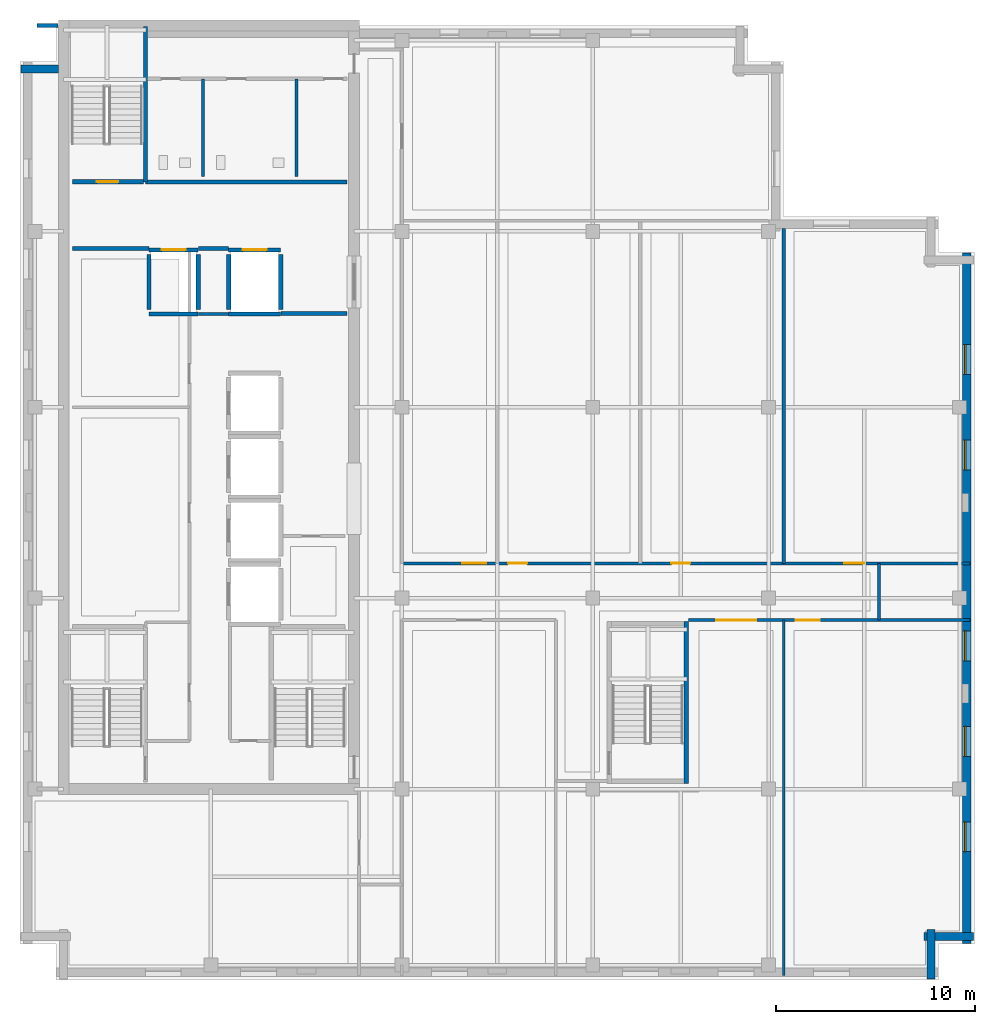
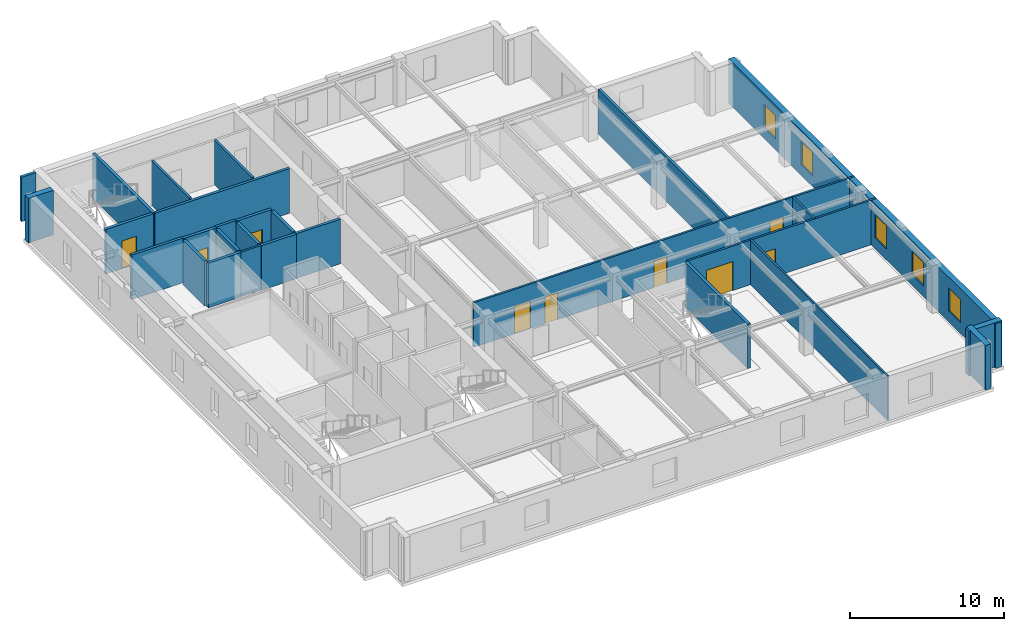
# One storey, part 5 of 11: 28 walls, 9 doors, 5 windows, 14 openings.
"""IFC4 building model written with IfcOpenShell, lengths in metres."""

from ifc_helpers import new_model, si_unit, direction, frame, frame_2d, origin, place, context, subcontext, project, spatial, rectangle, extrude, material, layer, layer_set, type_object, element, fill, save


model = new_model("IFC4")

# Units and contexts
model_context = context("Model", 3, precision=1e-05, world=origin(), true_north=direction((0.0, 1.0)))
body_context = subcontext(model_context, "Body", "Model", "MODEL_VIEW")
ifc_project = project(units=[si_unit("LENGTHUNIT", "METRE"), si_unit("AREAUNIT", "SQUARE_METRE"), si_unit("VOLUMEUNIT", "CUBIC_METRE"), si_unit("PLANEANGLEUNIT", "RADIAN"), si_unit("MASSUNIT", "GRAM", prefix="KILO")], contexts=[model_context])

# Site, building, storey
site_placement = place(None, origin())
site = spatial("IfcSite", under=ifc_project, at=site_placement, CompositionType="ELEMENT")
building_placement = place(site_placement, origin())
building = spatial("IfcBuilding", under=site, at=building_placement, Name="Norrvale University Quadrangle", CompositionType="ELEMENT")
storey_placement = place(building_placement, frame((0.0, 0.0, 288.60009765625)))
storey = spatial("IfcBuildingStorey", under=building, at=storey_placement, Name="L73", CompositionType="ELEMENT", Elevation=288.60009765625)

# Walls
ifc_material_1 = material(Name="Buff Norman Clay Brick Masonry", Category="masonry")
ifc_layer_1 = layer(ifc_material_1, 0.419921875, Name="Buff Norman Clay Brick Masonry")
ifc_layer_set_1 = layer_set([ifc_layer_1], Name="Buff Norman Clay Brick Masonry")
wall_type_1 = type_object("IfcWallType", Name="Wall Buff Brick 420", PredefinedType="SOLIDWALL", material=ifc_layer_set_1)
for number, where, z_axis, x_axis, name in (
    (1, (45.81005859375, 0.0400390625, 0.0), (0.0, 0.0, 1.0), (0.0, 1.0, 0.0), "Exterior Brick Facade Wall L73-02.1"),
    (2, (45.4599609375, 2.18994140625, 0.0), (0.0, 0.0, 1.0), (1.0, 0.0, 0.0), "Exterior Brick Facade Wall L73-03.1"),
):
    element("IfcWall", number, at=place(storey_placement, frame(where, z_axis=z_axis, x_axis=x_axis)), inside=storey, type_object=wall_type_1, Name=name, PredefinedType="SOLIDWALL", context=body_context, shape_type="SweptSolid", body=[
        extrude(rectangle(XDim=2.5, YDim=0.419921875, at=frame_2d((1.25, 0.0))), origin(), (0.0, 0.0, 1.0), 3.539794921875),
    ])

# Wall, openings, windows
wall_1_placement = place(storey_placement, frame((47.610107421875, 1.840087890625, 0.0), z_axis=(0.0, 0.0, 1.0), x_axis=(0.0, 1.0, 0.0)))
wall_1 = element("IfcWall", 3, at=wall_1_placement, inside=storey, type_object=wall_type_1, Name="Exterior Brick Facade Wall L73-04.1", PredefinedType="SOLIDWALL", context=body_context, shape_type="SweptSolid", body=[
    extrude(rectangle(XDim=34.719970703125, YDim=0.419921875, at=frame_2d((17.35986328125, 0.0))), origin(), (0.0, 0.0, 1.0), 3.539794921875),
])
opening_1_placement = place(wall_1_placement, frame((4.610107421875, 0.0, 0.85009765625)))
opening_1 = element("IfcOpeningElement", 4, at=opening_1_placement, cuts=wall_1, Name="Opening W03", PredefinedType="OPENING", context=body_context, shape_type="SweptSolid", body=[
    extrude(rectangle(XDim=1.5, YDim=1.85009765625, at=frame_2d((0.75, 0.925048828125))), frame((0.0, 0.221923828125, 0.0), z_axis=(0.0, -1.0, 0.0), x_axis=(1.0, 0.0, 0.0)), (0.0, 0.0, 1.0), 0.44384765625),
])
opening_2_placement = place(wall_1_placement, frame((9.409912109375, 0.0, 0.85009765625)))
opening_2 = element("IfcOpeningElement", 5, at=opening_2_placement, cuts=wall_1, Name="Opening W03", PredefinedType="OPENING", context=body_context, shape_type="SweptSolid", body=[
    extrude(rectangle(XDim=1.5, YDim=1.85009765625, at=frame_2d((0.75, 0.925048828125))), frame((0.0, 0.221923828125, 0.0), z_axis=(0.0, -1.0, 0.0), x_axis=(1.0, 0.0, 0.0)), (0.0, 0.0, 1.0), 0.44384765625),
])
opening_3_placement = place(wall_1_placement, frame((14.2099609375, 0.0, 0.85009765625)))
opening_3 = element("IfcOpeningElement", 6, at=opening_3_placement, cuts=wall_1, Name="Opening W03", PredefinedType="OPENING", context=body_context, shape_type="SweptSolid", body=[
    extrude(rectangle(XDim=1.5, YDim=1.85009765625, at=frame_2d((0.75, 0.925048828125))), frame((0.0, 0.221923828125, 0.0), z_axis=(0.0, -1.0, 0.0), x_axis=(1.0, 0.0, 0.0)), (0.0, 0.0, 1.0), 0.44384765625),
])
opening_4_placement = place(wall_1_placement, frame((23.81005859375, 0.0, 0.85009765625)))
opening_4 = element("IfcOpeningElement", 7, at=opening_4_placement, cuts=wall_1, Name="Opening W03", PredefinedType="OPENING", context=body_context, shape_type="SweptSolid", body=[
    extrude(rectangle(XDim=1.5, YDim=1.85009765625, at=frame_2d((0.75, 0.925048828125))), frame((0.0, 0.221923828125, 0.0), z_axis=(0.0, -1.0, 0.0), x_axis=(1.0, 0.0, 0.0)), (0.0, 0.0, 1.0), 0.44384765625),
])
opening_5_placement = place(wall_1_placement, frame((28.610107421875, 0.0, 0.85009765625)))
opening_5 = element("IfcOpeningElement", 8, at=opening_5_placement, cuts=wall_1, Name="Opening W03", PredefinedType="OPENING", context=body_context, shape_type="SweptSolid", body=[
    extrude(rectangle(XDim=1.5, YDim=1.85009765625, at=frame_2d((0.75, 0.925048828125))), frame((0.0, 0.221923828125, 0.0), z_axis=(0.0, -1.0, 0.0), x_axis=(1.0, 0.0, 0.0)), (0.0, 0.0, 1.0), 0.44384765625),
])
ifc_material_2 = material(Name="Triple Low-E Argon Glazing", Category="glass")
window_type = type_object("IfcWindowType", Name="Window Studio 1500x2300", PartitioningType="DOUBLE_PANEL_VERTICAL", PredefinedType="WINDOW", material=ifc_material_2)
window_1_placement = place(opening_1_placement, origin())
window_1 = element("IfcWindow", 9, at=window_1_placement, inside=storey, type_object=window_type, Name="Window Studio 1500x2300 WIN-L73-E04-1-01", OverallHeight=1.85009765625, OverallWidth=1.5, PartitioningType="DOUBLE_PANEL_VERTICAL", PredefinedType="WINDOW", context=body_context, shape_type="SweptSolid", body=[
    extrude(rectangle(XDim=1.5, YDim=1.85009765625, at=frame_2d((0.75, 0.925048828125))), frame((0.0, 0.110107421875, 0.0), z_axis=(0.0, -1.0, 0.0), x_axis=(1.0, 0.0, 0.0)), (0.0, 0.0, 1.0), 0.06005859375),
])
fill(opening_1, window_1)
window_2_placement = place(opening_2_placement, origin())
window_2 = element("IfcWindow", 10, at=window_2_placement, inside=storey, type_object=window_type, Name="Window Studio 1500x2300 WIN-L73-E04-1-02", OverallHeight=1.85009765625, OverallWidth=1.5, PartitioningType="DOUBLE_PANEL_VERTICAL", PredefinedType="WINDOW", context=body_context, shape_type="SweptSolid", body=[
    extrude(rectangle(XDim=1.5, YDim=1.85009765625, at=frame_2d((0.75, 0.925048828125))), frame((0.0, 0.110107421875, 0.0), z_axis=(0.0, -1.0, 0.0), x_axis=(1.0, 0.0, 0.0)), (0.0, 0.0, 1.0), 0.06005859375),
])
fill(opening_2, window_2)
window_3_placement = place(opening_3_placement, origin())
window_3 = element("IfcWindow", 11, at=window_3_placement, inside=storey, type_object=window_type, Name="Window Studio 1500x2300 WIN-L73-E04-1-03", OverallHeight=1.85009765625, OverallWidth=1.5, PartitioningType="DOUBLE_PANEL_VERTICAL", PredefinedType="WINDOW", context=body_context, shape_type="SweptSolid", body=[
    extrude(rectangle(XDim=1.5, YDim=1.85009765625, at=frame_2d((0.75, 0.925048828125))), frame((0.0, 0.110107421875, 0.0), z_axis=(0.0, -1.0, 0.0), x_axis=(1.0, 0.0, 0.0)), (0.0, 0.0, 1.0), 0.06005859375),
])
fill(opening_3, window_3)
window_4_placement = place(opening_4_placement, origin())
window_4 = element("IfcWindow", 12, at=window_4_placement, inside=storey, type_object=window_type, Name="Window Studio 1500x2300 WIN-L73-E04-1-04", OverallHeight=1.85009765625, OverallWidth=1.5, PartitioningType="DOUBLE_PANEL_VERTICAL", PredefinedType="WINDOW", context=body_context, shape_type="SweptSolid", body=[
    extrude(rectangle(XDim=1.5, YDim=1.85009765625, at=frame_2d((0.75, 0.925048828125))), frame((0.0, 0.110107421875, 0.0), z_axis=(0.0, -1.0, 0.0), x_axis=(1.0, 0.0, 0.0)), (0.0, 0.0, 1.0), 0.06005859375),
])
fill(opening_4, window_4)
window_5_placement = place(opening_5_placement, origin())
window_5 = element("IfcWindow", 13, at=window_5_placement, inside=storey, type_object=window_type, Name="Window Studio 1500x2300 WIN-L73-E04-1-05", OverallHeight=1.85009765625, OverallWidth=1.5, PartitioningType="DOUBLE_PANEL_VERTICAL", PredefinedType="WINDOW", context=body_context, shape_type="SweptSolid", body=[
    extrude(rectangle(XDim=1.5, YDim=1.85009765625, at=frame_2d((0.75, 0.925048828125))), frame((0.0, 0.110107421875, 0.0), z_axis=(0.0, -1.0, 0.0), x_axis=(1.0, 0.0, 0.0)), (0.0, 0.0, 1.0), 0.06005859375),
])
fill(opening_5, window_5)

# Walls
wall_2_placement = place(storey_placement, frame((1.925048828125, 45.81005859375, 0.0), z_axis=(0.0, 0.0, 1.0), x_axis=(-1.0, 0.0, 0.0)))
element("IfcWall", 14, at=wall_2_placement, inside=storey, type_object=wall_type_1, Name="Exterior Brick Facade Wall L73-13.1", PredefinedType="SOLIDWALL", context=body_context, shape_type="SweptSolid", body=[
    extrude(rectangle(XDim=1.885009765625, YDim=0.419921875, at=frame_2d((0.9423828125, 0.0))), origin(), (0.0, 0.0, 1.0), 3.539794921875),
])
ifc_material_3 = material(Name="Standard Academic Gypsum Partition")
ifc_layer_2 = layer(ifc_material_3, 0.125, Name="Standard Academic Gypsum Partition")
ifc_layer_set_2 = layer_set([ifc_layer_2], Name="Standard Academic Gypsum Partition")
wall_type_2 = type_object("IfcWallType", Name="Wall Gypsum Academic 125", PredefinedType="PARTITIONING", material=ifc_layer_set_2)
wall_3_placement = place(storey_placement, frame((38.39990234375, 0.219970703125, 0.0), z_axis=(0.0, 0.0, 1.0), x_axis=(0.0, 1.0, 0.0)))
element("IfcWall", 15, at=wall_3_placement, inside=storey, type_object=wall_type_2, Name="Interior Partition WL-L73-SEP2", PredefinedType="PARTITIONING", context=body_context, shape_type="SweptSolid", body=[
    extrude(rectangle(XDim=17.880126953125, YDim=0.125, at=frame_2d((8.93994140625, 0.0))), origin(), (0.0, 0.0, 1.0), 3.539794921875),
])
ifc_material_4 = material(Name="Fire-Rated Gypsum Stud Partition")
ifc_layer_3 = layer(ifc_material_4, 0.14990234375, Name="Fire-Rated Gypsum Stud Partition")
ifc_layer_set_3 = layer_set([ifc_layer_3], Name="Fire-Rated Gypsum Stud Partition")
wall_type_3 = type_object("IfcWallType", Name="Wall Gypsum Corridor 150", PredefinedType="PARTITIONING", material=ifc_layer_set_3)
wall_4_placement = place(storey_placement, frame((8.965087890625, 33.489990234375, 0.0), z_axis=(0.0, 0.0, 1.0), x_axis=(1.0, 0.0, 0.0)))
element("IfcWall", 16, at=wall_4_placement, inside=storey, type_object=wall_type_3, Name="Interior Partition WL-L73-LL3", PredefinedType="PARTITIONING", context=body_context, shape_type="SweptSolid", body=[
    extrude(rectangle(XDim=1.52001953125, YDim=0.14990234375, at=frame_2d((0.760009765625, 0.0))), origin(), (0.0, 0.0, 1.0), 3.539794921875),
])
wall_5_placement = place(storey_placement, frame((43.199951171875, 18.10009765625, 0.0), z_axis=(0.0, 0.0, 1.0), x_axis=(0.0, 1.0, 0.0)))
element("IfcWall", 17, at=wall_5_placement, inside=storey, type_object=wall_type_3, Name="Interior Partition WL-L73-CESP-E", PredefinedType="PARTITIONING", context=body_context, shape_type="SweptSolid", body=[
    extrude(rectangle(XDim=2.849853515625, YDim=0.14990234375, at=frame_2d((1.4248046875, 0.0))), origin(), (0.0, 0.0, 1.0), 3.539794921875),
])

# Wall, openings, doors
wall_6_placement = place(storey_placement, frame((33.6201171875, 18.10009765625, 0.0), z_axis=(0.0, 0.0, 1.0), x_axis=(1.0, 0.0, 0.0)))
wall_6 = element("IfcWall", 18, at=wall_6_placement, inside=storey, type_object=wall_type_3, Name="Interior Partition WL-L73-SEW2", PredefinedType="PARTITIONING", context=body_context, shape_type="SweptSolid", body=[
    extrude(rectangle(XDim=14.159912109375, YDim=0.14990234375, at=frame_2d((7.080078125, 0.0))), origin(), (0.0, 0.0, 1.0), 3.539794921875),
])
opening_6_placement = place(wall_6_placement, frame((1.39990234375, 0.0, 0.0)))
opening_6 = element("IfcOpeningElement", 19, at=opening_6_placement, cuts=wall_6, Name="Opening D06", PredefinedType="OPENING", context=body_context, shape_type="SweptSolid", body=[
    extrude(rectangle(XDim=2.0, YDim=2.300048828125, at=frame_2d((1.0, 1.14990234375))), frame((0.0, 0.0869140625, 0.0), z_axis=(0.0, -1.0, 0.0), x_axis=(1.0, 0.0, 0.0)), (0.0, 0.0, 1.0), 0.173828125),
])
opening_7_placement = place(wall_6_placement, frame((5.39990234375, 0.0, 0.0)))
opening_7 = element("IfcOpeningElement", 20, at=opening_7_placement, cuts=wall_6, Name="Opening D05", PredefinedType="OPENING", context=body_context, shape_type="SweptSolid", body=[
    extrude(rectangle(XDim=1.199951171875, YDim=2.199951171875, at=frame_2d((0.60009765625, 1.10009765625))), frame((0.0, 0.0869140625, 0.0), z_axis=(0.0, -1.0, 0.0), x_axis=(1.0, 0.0, 0.0)), (0.0, 0.0, 1.0), 0.173828125),
])
ifc_material_5 = material(Name="Acoustic Oak Classroom Door", Category="wood")
door_type_1 = type_object("IfcDoorType", Name="Door Classroom 1200x2200", OperationType="NOTDEFINED", PredefinedType="DOOR", material=ifc_material_5)
door_1_placement = place(opening_7_placement, origin())
door_1 = element("IfcDoor", 21, at=door_1_placement, inside=storey, type_object=door_type_1, Name="Door Classroom 1200x2200 DR-L73-SE3", OperationType="SINGLE_SWING_LEFT", OverallHeight=2.199951171875, OverallWidth=1.199951171875, PredefinedType="DOOR", context=body_context, shape_type="SweptSolid", body=[
    extrude(rectangle(XDim=1.199951171875, YDim=2.199951171875, at=frame_2d((0.60009765625, 1.10009765625))), frame((0.0, 0.02490234375, 0.0), z_axis=(0.0, -1.0, 0.0), x_axis=(1.0, 0.0, 0.0)), (0.0, 0.0, 1.0), 0.050048828125),
])
fill(opening_7, door_1)
ifc_material_6 = material(Name="Acoustic Oak Double Door", Category="wood")
door_type_2 = type_object("IfcDoorType", Name="Door Lecture Dbl 2000x2300", OperationType="DOUBLE_SWING_LEFT", PredefinedType="DOOR", material=ifc_material_6)
door_2_placement = place(opening_6_placement, origin())
door_2 = element("IfcDoor", 22, at=door_2_placement, inside=storey, type_object=door_type_2, Name="Door Lecture Dbl 2000x2300 DR-L73-SE2", OperationType="DOUBLE_SWING_LEFT", OverallHeight=2.300048828125, OverallWidth=2.0, PredefinedType="DOOR", context=body_context, shape_type="SweptSolid", body=[
    extrude(rectangle(XDim=2.0, YDim=2.300048828125, at=frame_2d((1.0, 1.14990234375))), frame((0.0, 0.02490234375, 0.0), z_axis=(0.0, -1.0, 0.0), x_axis=(1.0, 0.0, 0.0)), (0.0, 0.0, 1.0), 0.050048828125),
])
fill(opening_6, door_2)

wall_7_placement = place(storey_placement, frame((19.199951171875, 20.949951171875, 0.0), z_axis=(0.0, 0.0, 1.0), x_axis=(1.0, 0.0, 0.0)))
wall_7 = element("IfcWall", 23, at=wall_7_placement, inside=storey, type_object=wall_type_3, Name="Interior Partition WL-L73-MECW", PredefinedType="PARTITIONING", context=body_context, shape_type="SweptSolid", body=[
    extrude(rectangle(XDim=28.580078125, YDim=0.14990234375, at=frame_2d((14.2900390625, 0.0))), origin(), (0.0, 0.0, 1.0), 3.539794921875),
])
opening_8_placement = place(wall_7_placement, frame((3.050048828125, 0.0, 0.0)))
opening_8 = element("IfcOpeningElement", 24, at=opening_8_placement, cuts=wall_7, Name="Opening D05", PredefinedType="OPENING", context=body_context, shape_type="SweptSolid", body=[
    extrude(rectangle(XDim=1.199951171875, YDim=2.199951171875, at=frame_2d((0.60009765625, 1.10009765625))), frame((0.0, 0.0869140625, 0.0), z_axis=(0.0, -1.0, 0.0), x_axis=(1.0, 0.0, 0.0)), (0.0, 0.0, 1.0), 0.173828125),
])
opening_9_placement = place(wall_7_placement, frame((5.35009765625, 0.0, 0.0)))
opening_9 = element("IfcOpeningElement", 25, at=opening_9_placement, cuts=wall_7, Name="Opening D07", PredefinedType="OPENING", context=body_context, shape_type="SweptSolid", body=[
    extrude(rectangle(XDim=0.949951171875, YDim=2.14990234375, at=frame_2d((0.47509765625, 1.074951171875))), frame((0.0, 0.0869140625, 0.0), z_axis=(0.0, -1.0, 0.0), x_axis=(1.0, 0.0, 0.0)), (0.0, 0.0, 1.0), 0.173828125),
])
opening_10_placement = place(wall_7_placement, frame((13.550048828125, 0.0, 0.0)))
opening_10 = element("IfcOpeningElement", 26, at=opening_10_placement, cuts=wall_7, Name="Opening D07", PredefinedType="OPENING", context=body_context, shape_type="SweptSolid", body=[
    extrude(rectangle(XDim=0.949951171875, YDim=2.14990234375, at=frame_2d((0.47509765625, 1.074951171875))), frame((0.0, 0.0869140625, 0.0), z_axis=(0.0, -1.0, 0.0), x_axis=(1.0, 0.0, 0.0)), (0.0, 0.0, 1.0), 0.173828125),
])
opening_11_placement = place(wall_7_placement, frame((22.25, 0.0, 0.0)))
opening_11 = element("IfcOpeningElement", 27, at=opening_11_placement, cuts=wall_7, Name="Opening D04", PredefinedType="OPENING", context=body_context, shape_type="SweptSolid", body=[
    extrude(rectangle(XDim=1.0, YDim=2.199951171875, at=frame_2d((0.5, 1.10009765625))), frame((0.0, 0.0869140625, 0.0), z_axis=(0.0, -1.0, 0.0), x_axis=(1.0, 0.0, 0.0)), (0.0, 0.0, 1.0), 0.173828125),
])
door_3_placement = place(opening_8_placement, origin())
door_3 = element("IfcDoor", 28, at=door_3_placement, inside=storey, type_object=door_type_1, Name="Door Classroom 1200x2200 DR-L73-ME01", OperationType="SINGLE_SWING_LEFT", OverallHeight=2.199951171875, OverallWidth=1.199951171875, PredefinedType="DOOR", context=body_context, shape_type="SweptSolid", body=[
    extrude(rectangle(XDim=1.199951171875, YDim=2.199951171875, at=frame_2d((0.60009765625, 1.10009765625))), frame((0.0, 0.02490234375, 0.0), z_axis=(0.0, -1.0, 0.0), x_axis=(1.0, 0.0, 0.0)), (0.0, 0.0, 1.0), 0.050048828125),
])
fill(opening_8, door_3)
ifc_material_7 = material(Name="Solid-Core Oak Fire Door", Category="wood")
door_type_3 = type_object("IfcDoorType", Name="Door Corridor 1000x2200", OperationType="NOTDEFINED", PredefinedType="DOOR", material=ifc_material_7)
door_4_placement = place(opening_11_placement, origin())
door_4 = element("IfcDoor", 29, at=door_4_placement, inside=storey, type_object=door_type_3, Name="Door Corridor 1000x2200 DR-L73-ME04", OperationType="SINGLE_SWING_RIGHT", OverallHeight=2.199951171875, OverallWidth=1.0, PredefinedType="DOOR", context=body_context, shape_type="SweptSolid", body=[
    extrude(rectangle(XDim=1.0, YDim=2.199951171875, at=frame_2d((0.5, 1.10009765625))), frame((0.0, 0.02490234375, 0.0), z_axis=(0.0, -1.0, 0.0), x_axis=(1.0, 0.0, 0.0)), (0.0, 0.0, 1.0), 0.050048828125),
])
fill(opening_11, door_4)
ifc_material_8 = material(Name="Solid-Core Maple Door", Category="wood")
door_type_4 = type_object("IfcDoorType", Name="Door Office 950x2150", OperationType="NOTDEFINED", PredefinedType="DOOR", material=ifc_material_8)
door_5_placement = place(opening_9_placement, origin())
door_5 = element("IfcDoor", 30, at=door_5_placement, inside=storey, type_object=door_type_4, Name="Door Office 950x2150 DR-L73-ME02", OperationType="SINGLE_SWING_RIGHT", OverallHeight=2.14990234375, OverallWidth=0.949951171875, PredefinedType="DOOR", context=body_context, shape_type="SweptSolid", body=[
    extrude(rectangle(XDim=0.949951171875, YDim=2.14990234375, at=frame_2d((0.47509765625, 1.074951171875))), frame((0.0, 0.02490234375, 0.0), z_axis=(0.0, -1.0, 0.0), x_axis=(1.0, 0.0, 0.0)), (0.0, 0.0, 1.0), 0.050048828125),
])
fill(opening_9, door_5)
door_6_placement = place(opening_10_placement, origin())
door_6 = element("IfcDoor", 31, at=door_6_placement, inside=storey, type_object=door_type_4, Name="Door Office 950x2150 DR-L73-ME03", OperationType="SINGLE_SWING_LEFT", OverallHeight=2.14990234375, OverallWidth=0.949951171875, PredefinedType="DOOR", context=body_context, shape_type="SweptSolid", body=[
    extrude(rectangle(XDim=0.949951171875, YDim=2.14990234375, at=frame_2d((0.47509765625, 1.074951171875))), frame((0.0, 0.02490234375, 0.0), z_axis=(0.0, -1.0, 0.0), x_axis=(1.0, 0.0, 0.0)), (0.0, 0.0, 1.0), 0.050048828125),
])
fill(opening_10, door_6)

# Walls
ifc_material_9 = material(Name="Acoustic Double-Stud Gypsum Partition")
ifc_layer_4 = layer(ifc_material_9, 0.179931640625, Name="Acoustic Double-Stud Gypsum Partition")
ifc_layer_set_4 = layer_set([ifc_layer_4], Name="Acoustic Double-Stud Gypsum Partition")
wall_type_4 = type_object("IfcWallType", Name="Wall Gypsum Lecture 180", PredefinedType="PARTITIONING", material=ifc_layer_set_4)
wall_8_placement = place(storey_placement, frame((38.39990234375, 20.949951171875, 0.0), z_axis=(0.0, 0.0, 1.0), x_axis=(0.0, 1.0, 0.0)))
element("IfcWall", 32, at=wall_8_placement, inside=storey, type_object=wall_type_4, Name="Interior Partition WL-L73-MEP03", PredefinedType="PARTITIONING", context=body_context, shape_type="SweptSolid", body=[
    extrude(rectangle(XDim=16.840087890625, YDim=0.179931640625, at=frame_2d((8.419921875, 0.0))), origin(), (0.0, 0.0, 1.0), 3.539794921875),
])
ifc_material_10 = material(Name="Sanitary Chase Gypsum Partition")
ifc_layer_5 = layer(ifc_material_10, 0.1650390625, Name="Sanitary Chase Gypsum Partition")
ifc_layer_set_5 = layer_set([ifc_layer_5], Name="Sanitary Chase Gypsum Partition")
wall_type_5 = type_object("IfcWallType", Name="Wall Gypsum Sanitary 165", PredefinedType="PLUMBINGWALL", material=ifc_layer_set_5)
for number, where, z_axis, x_axis, name in (
    (33, (9.199951171875, 40.39990234375, 0.0), (0.0, 0.0, 1.0), (0.0, 1.0, 0.0), "Interior Partition WL-L73-WCM1"),
    (34, (13.89990234375, 40.39990234375, 0.0), (0.0, 0.0, 1.0), (0.0, 1.0, 0.0), "Interior Partition WL-L73-WCM2"),
):
    element("IfcWall", number, at=place(storey_placement, frame(where, z_axis=z_axis, x_axis=x_axis)), inside=storey, type_object=wall_type_5, Name=name, PredefinedType="PLUMBINGWALL", context=body_context, shape_type="SweptSolid", body=[
        extrude(rectangle(XDim=4.920166015625, YDim=0.1650390625, at=frame_2d((2.4599609375, 0.0))), origin(), (0.0, 0.0, 1.0), 3.539794921875),
    ])
ifc_material_11 = material(Name="Concrete Blockwork 20 MPa Rated Wall", Category="masonry")
ifc_layer_6 = layer(ifc_material_11, 0.199951171875, Name="Concrete Blockwork 20 MPa Rated Wall")
ifc_layer_set_6 = layer_set([ifc_layer_6], Name="Concrete Blockwork 20 MPa Rated Wall")
wall_type_6 = type_object("IfcWallType", Name="Wall Lobby 200", PredefinedType="SOLIDWALL", material=ifc_layer_set_6)
wall_9_placement = place(storey_placement, frame((2.64990234375, 36.780029296875, 0.0), z_axis=(0.0, 0.0, 1.0), x_axis=(1.0, 0.0, 0.0)))
element("IfcWall", 35, at=wall_9_placement, inside=storey, type_object=wall_type_6, Name="Interior Partition WL-L73-FF1", PredefinedType="SOLIDWALL", context=body_context, shape_type="SweptSolid", body=[
    extrude(rectangle(XDim=3.830078125, YDim=0.199951171875, at=frame_2d((1.9150390625, 0.0))), origin(), (0.0, 0.0, 1.0), 3.539794921875),
])
wall_10_placement = place(storey_placement, frame((8.969970703125, 36.780029296875, 0.0), z_axis=(0.0, 0.0, 1.0), x_axis=(1.0, 0.0, 0.0)))
element("IfcWall", 36, at=wall_10_placement, inside=storey, type_object=wall_type_6, Name="Interior Partition WL-L73-FF2", PredefinedType="SOLIDWALL", context=body_context, shape_type="SweptSolid", body=[
    extrude(rectangle(XDim=1.510009765625, YDim=0.199951171875, at=frame_2d((0.7548828125, 0.0))), origin(), (0.0, 0.0, 1.0), 3.539794921875),
])
wall_11_placement = place(storey_placement, frame((13.1201171875, 33.52001953125, 0.0), z_axis=(0.0, 0.0, 1.0), x_axis=(1.0, 0.0, 0.0)))
element("IfcWall", 37, at=wall_11_placement, inside=storey, type_object=wall_type_6, Name="Interior Partition WL-L73-FF3", PredefinedType="SOLIDWALL", context=body_context, shape_type="SweptSolid", body=[
    extrude(rectangle(XDim=3.329833984375, YDim=0.199951171875, at=frame_2d((1.6650390625, 0.0))), origin(), (0.0, 0.0, 1.0), 3.539794921875),
])
wall_12_placement = place(storey_placement, frame((6.320068359375, 40.139892578125, 0.0), z_axis=(0.0, 0.0, 1.0), x_axis=(1.0, 0.0, 0.0)))
element("IfcWall", 38, at=wall_12_placement, inside=storey, type_object=wall_type_6, Name="Interior Partition WL-L73-FF4", PredefinedType="SOLIDWALL", context=body_context, shape_type="SweptSolid", body=[
    extrude(rectangle(XDim=10.1298828125, YDim=0.199951171875, at=frame_2d((5.06494140625, 0.0))), origin(), (0.0, 0.0, 1.0), 3.539794921875),
])
wall_13_placement = place(storey_placement, frame((0.85009765625, 48.0, 0.0), z_axis=(0.0, 0.0, 1.0), x_axis=(1.0, 0.0, 0.0)))
element("IfcWall", 39, at=wall_13_placement, inside=storey, type_object=wall_type_6, Name="Interior Partition WL-L73-CWRET-N", PredefinedType="SOLIDWALL", context=body_context, shape_type="SweptSolid", body=[
    extrude(rectangle(XDim=1.06982421875, YDim=0.199951171875, at=frame_2d((0.534912109375, 0.0))), origin(), (0.0, 0.0, 1.0), 3.539794921875),
])

# Wall, opening, door
ifc_material_12 = material(Name="Concrete Blockwork 20 MPa Fire Shaft", Category="masonry")
ifc_layer_7 = layer(ifc_material_12, 0.219970703125, Name="Concrete Blockwork 20 MPa Fire Shaft")
ifc_layer_set_7 = layer_set([ifc_layer_7], Name="Concrete Blockwork 20 MPa Fire Shaft")
wall_type_7 = type_object("IfcWallType", Name="Wall Shaft 220", PredefinedType="SOLIDWALL", material=ifc_layer_set_7)
wall_14_placement = place(storey_placement, frame((2.64990234375, 40.139892578125, 0.0), z_axis=(0.0, 0.0, 1.0), x_axis=(1.0, 0.0, 0.0)))
wall_14 = element("IfcWall", 40, at=wall_14_placement, inside=storey, type_object=wall_type_7, Name="Stair ST-02 South Shaft Wall L73", PredefinedType="SOLIDWALL", context=body_context, shape_type="SweptSolid", body=[
    extrude(rectangle(XDim=3.550048828125, YDim=0.219970703125, at=frame_2d((1.77490234375, 0.0))), origin(), (0.0, 0.0, 1.0), 3.539794921875),
])
opening_12_placement = place(wall_14_placement, frame((1.199951171875, 0.0, 0.0)))
opening_12 = element("IfcOpeningElement", 41, at=opening_12_placement, cuts=wall_14, Name="Opening D02", PredefinedType="OPENING", context=body_context, shape_type="SweptSolid", body=[
    extrude(rectangle(XDim=1.10009765625, YDim=2.199951171875, at=frame_2d((0.550048828125, 1.10009765625))), frame((0.0, 0.1220703125, 0.0), z_axis=(0.0, -1.0, 0.0), x_axis=(1.0, 0.0, 0.0)), (0.0, 0.0, 1.0), 0.243896484375),
])
ifc_material_13 = material(Name="Hollow Steel 350W Fire Door", Category="steel")
door_type_5 = type_object("IfcDoorType", Name="Door Stair Exit 1100x2200", OperationType="NOTDEFINED", PredefinedType="DOOR", material=ifc_material_13)
door_7_placement = place(opening_12_placement, origin())
door_7 = element("IfcDoor", 42, at=door_7_placement, inside=storey, type_object=door_type_5, Name="Door Stair Exit 1100x2200 DR-L73-ST02", OperationType="SINGLE_SWING_LEFT", OverallHeight=2.199951171875, OverallWidth=1.10009765625, PredefinedType="DOOR", context=body_context, shape_type="SweptSolid", body=[
    extrude(rectangle(XDim=1.10009765625, YDim=2.199951171875, at=frame_2d((0.550048828125, 1.10009765625))), frame((0.0, 0.02490234375, 0.0), z_axis=(0.0, -1.0, 0.0), x_axis=(1.0, 0.0, 0.0)), (0.0, 0.0, 1.0), 0.050048828125),
])
fill(opening_12, door_7)

# Walls
wall_15_placement = place(storey_placement, frame((6.31005859375, 40.139892578125, 0.0), z_axis=(0.0, 0.0, 1.0), x_axis=(0.0, 1.0, 0.0)))
element("IfcWall", 43, at=wall_15_placement, inside=storey, type_object=wall_type_7, Name="Stair ST-02 East Shaft Wall L73", PredefinedType="SOLIDWALL", context=body_context, shape_type="SweptSolid", body=[
    extrude(rectangle(XDim=7.81005859375, YDim=0.219970703125, at=frame_2d((3.905029296875, 0.0))), origin(), (0.0, 0.0, 1.0), 3.539794921875),
])
wall_16_placement = place(storey_placement, frame((33.510009765625, 9.8798828125, 0.0), z_axis=(0.0, 0.0, 1.0), x_axis=(0.0, 1.0, 0.0)))
element("IfcWall", 44, at=wall_16_placement, inside=storey, type_object=wall_type_7, Name="Stair ST-04 East Shaft Wall L73", PredefinedType="SOLIDWALL", context=body_context, shape_type="SweptSolid", body=[
    extrude(rectangle(XDim=8.14013671875, YDim=0.219970703125, at=frame_2d((4.070068359375, 0.0))), origin(), (0.0, 0.0, 1.0), 3.539794921875),
])
for number, where, z_axis, x_axis, name in (
    (45, (6.489990234375, 33.7099609375, 0.0), (0.0, 0.0, 1.0), (0.0, 1.0, 0.0), "Hoistway FFL-01 West Wall L73"),
    (46, (8.9599609375, 33.7099609375, 0.0), (0.0, 0.0, 1.0), (0.0, 1.0, 0.0), "Hoistway FFL-01 East Wall L73"),
):
    element("IfcWall", number, at=place(storey_placement, frame(where, z_axis=z_axis, x_axis=x_axis)), inside=storey, type_object=wall_type_7, Name=name, PredefinedType="SOLIDWALL", context=body_context, shape_type="SweptSolid", body=[
        extrude(rectangle(XDim=2.780029296875, YDim=0.219970703125, at=frame_2d((1.39013671875, 0.0))), origin(), (0.0, 0.0, 1.0), 3.539794921875),
    ])
wall_17_placement = place(storey_placement, frame((6.489990234375, 33.489990234375, 0.0), z_axis=(0.0, 0.0, 1.0), x_axis=(1.0, 0.0, 0.0)))
element("IfcWall", 47, at=wall_17_placement, inside=storey, type_object=wall_type_7, Name="Hoistway FFL-01 South Wall L73", PredefinedType="SOLIDWALL", context=body_context, shape_type="SweptSolid", body=[
    extrude(rectangle(XDim=2.469970703125, YDim=0.219970703125, at=frame_2d((1.23486328125, 0.0))), origin(), (0.0, 0.0, 1.0), 3.539794921875),
])

# Wall, opening, door
wall_18_placement = place(storey_placement, frame((6.489990234375, 36.7099609375, 0.0), z_axis=(0.0, 0.0, 1.0), x_axis=(1.0, 0.0, 0.0)))
wall_18 = element("IfcWall", 48, at=wall_18_placement, inside=storey, type_object=wall_type_7, Name="Hoistway FFL-01 North Wall L73", PredefinedType="SOLIDWALL", context=body_context, shape_type="SweptSolid", body=[
    extrude(rectangle(XDim=2.469970703125, YDim=0.219970703125, at=frame_2d((1.23486328125, 0.0))), origin(), (0.0, 0.0, 1.0), 3.539794921875),
])
opening_13_placement = place(wall_18_placement, frame((0.635009765625, 0.0, 0.0)))
opening_13 = element("IfcOpeningElement", 49, at=opening_13_placement, cuts=wall_18, Name="Opening LD2", PredefinedType="OPENING", context=body_context, shape_type="SweptSolid", body=[
    extrude(rectangle(XDim=1.199951171875, YDim=2.199951171875, at=frame_2d((0.60009765625, 1.10009765625))), frame((0.0, 0.1220703125, 0.0), z_axis=(0.0, -1.0, 0.0), x_axis=(1.0, 0.0, 0.0)), (0.0, 0.0, 1.0), 0.243896484375),
])
ifc_material_14 = material(Name="Stainless Steel 316L Firefighter Lift Door", Category="steel")
door_type_6 = type_object("IfcDoorType", Name="Door Fire Lift 1200x2200", OperationType="DOUBLE_DOOR_SLIDING", PredefinedType="DOOR", material=ifc_material_14)
door_8_placement = place(opening_13_placement, origin())
door_8 = element("IfcDoor", 50, at=door_8_placement, inside=storey, type_object=door_type_6, Name="Elevator Landing Door DR-L73-FFL-01", OperationType="DOUBLE_DOOR_SLIDING", OverallHeight=2.199951171875, OverallWidth=1.199951171875, PredefinedType="DOOR", context=body_context, shape_type="SweptSolid", body=[
    extrude(rectangle(XDim=1.199951171875, YDim=2.199951171875, at=frame_2d((0.60009765625, 1.10009765625))), frame((0.0, 0.02490234375, 0.0), z_axis=(0.0, -1.0, 0.0), x_axis=(1.0, 0.0, 0.0)), (0.0, 0.0, 1.0), 0.050048828125),
])
fill(opening_13, door_8)

# Walls
for number, where, z_axis, x_axis, name in (
    (51, (10.489990234375, 33.7099609375, 0.0), (0.0, 0.0, 1.0), (0.0, 1.0, 0.0), "Hoistway FFL-02 West Wall L73"),
    (52, (13.110107421875, 33.7099609375, 0.0), (0.0, 0.0, 1.0), (0.0, 1.0, 0.0), "Hoistway FFL-02 East Wall L73"),
):
    element("IfcWall", number, at=place(storey_placement, frame(where, z_axis=z_axis, x_axis=x_axis)), inside=storey, type_object=wall_type_7, Name=name, PredefinedType="SOLIDWALL", context=body_context, shape_type="SweptSolid", body=[
        extrude(rectangle(XDim=2.780029296875, YDim=0.219970703125, at=frame_2d((1.39013671875, 0.0))), origin(), (0.0, 0.0, 1.0), 3.539794921875),
    ])
wall_19_placement = place(storey_placement, frame((10.489990234375, 33.489990234375, 0.0), z_axis=(0.0, 0.0, 1.0), x_axis=(1.0, 0.0, 0.0)))
element("IfcWall", 53, at=wall_19_placement, inside=storey, type_object=wall_type_7, Name="Hoistway FFL-02 South Wall L73", PredefinedType="SOLIDWALL", context=body_context, shape_type="SweptSolid", body=[
    extrude(rectangle(XDim=2.6201171875, YDim=0.219970703125, at=frame_2d((1.31005859375, 0.0))), origin(), (0.0, 0.0, 1.0), 3.539794921875),
])

# Wall, opening, door
wall_20_placement = place(storey_placement, frame((10.489990234375, 36.7099609375, 0.0), z_axis=(0.0, 0.0, 1.0), x_axis=(1.0, 0.0, 0.0)))
wall_20 = element("IfcWall", 54, at=wall_20_placement, inside=storey, type_object=wall_type_7, Name="Hoistway FFL-02 North Wall L73", PredefinedType="SOLIDWALL", context=body_context, shape_type="SweptSolid", body=[
    extrude(rectangle(XDim=2.6201171875, YDim=0.219970703125, at=frame_2d((1.31005859375, 0.0))), origin(), (0.0, 0.0, 1.0), 3.539794921875),
])
opening_14_placement = place(wall_20_placement, frame((0.7099609375, 0.0, 0.0)))
opening_14 = element("IfcOpeningElement", 55, at=opening_14_placement, cuts=wall_20, Name="Opening LD2", PredefinedType="OPENING", context=body_context, shape_type="SweptSolid", body=[
    extrude(rectangle(XDim=1.199951171875, YDim=2.199951171875, at=frame_2d((0.60009765625, 1.10009765625))), frame((0.0, 0.1220703125, 0.0), z_axis=(0.0, -1.0, 0.0), x_axis=(1.0, 0.0, 0.0)), (0.0, 0.0, 1.0), 0.243896484375),
])
door_9_placement = place(opening_14_placement, origin())
door_9 = element("IfcDoor", 56, at=door_9_placement, inside=storey, type_object=door_type_6, Name="Elevator Landing Door DR-L73-FFL-02", OperationType="DOUBLE_DOOR_SLIDING", OverallHeight=2.199951171875, OverallWidth=1.199951171875, PredefinedType="DOOR", context=body_context, shape_type="SweptSolid", body=[
    extrude(rectangle(XDim=1.199951171875, YDim=2.199951171875, at=frame_2d((0.60009765625, 1.10009765625))), frame((0.0, 0.02490234375, 0.0), z_axis=(0.0, -1.0, 0.0), x_axis=(1.0, 0.0, 0.0)), (0.0, 0.0, 1.0), 0.050048828125),
])
fill(opening_14, door_9)

save(model, "model.ifc")
